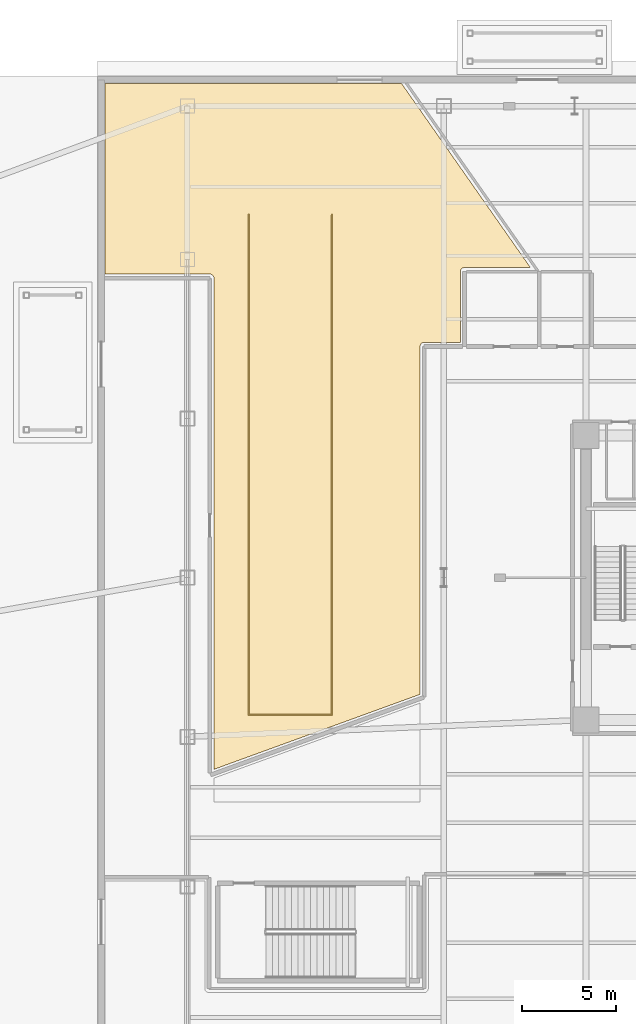
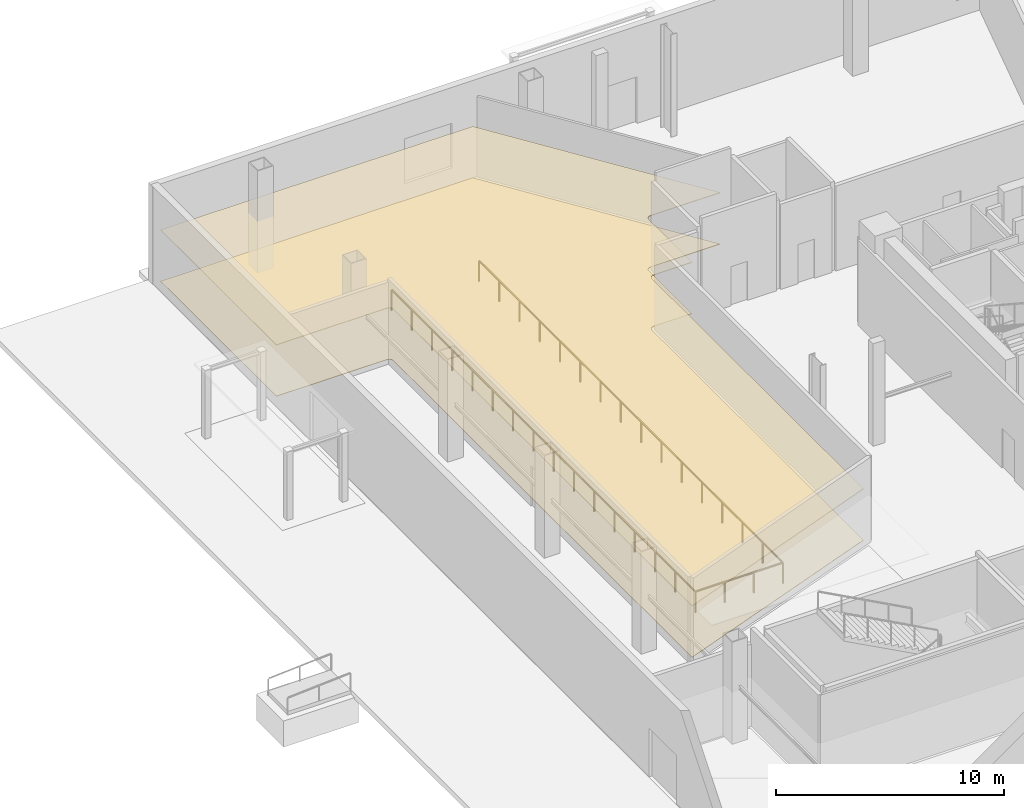
# One storey, part 23 of 27: 2 coverings, 1 railing.
"""IFC4 building model written with IfcOpenShell, lengths in metres."""

from ifc_helpers import new_model, si_unit, direction, frame, origin, origin_2d, place, context, subcontext, project, spatial, polyline, rectangle, outline, extrude, material, layer, layer_set, type_object, element, save


model = new_model("IFC4")

# Units and contexts
model_context = context("Model", 3, precision=1e-05, world=origin(), true_north=direction((0.0, 1.0)))
body_context = subcontext(model_context, "Body", "Model", "MODEL_VIEW")
ifc_project = project(units=[si_unit("LENGTHUNIT", "METRE"), si_unit("AREAUNIT", "SQUARE_METRE"), si_unit("VOLUMEUNIT", "CUBIC_METRE"), si_unit("PLANEANGLEUNIT", "RADIAN"), si_unit("MASSUNIT", "GRAM", prefix="KILO")], contexts=[model_context])

# Site, building, storey
site_placement = place(None, origin())
site = spatial("IfcSite", under=ifc_project, at=site_placement, CompositionType="ELEMENT")
building_placement = place(site_placement, origin())
building = spatial("IfcBuilding", under=site, at=building_placement, Name="Tharavind Bronze Gate", CompositionType="ELEMENT")
storey_placement = place(building_placement, origin())
storey = spatial("IfcBuildingStorey", under=building, at=storey_placement, Name="L00", CompositionType="ELEMENT", Elevation=0.0)

# Coverings
ifc_material_1 = material(Name="Perforated Bronze Acoustic Panel", Category="bronze")
ifc_layer_1 = layer(ifc_material_1, 0.044921875)
ifc_layer_set_1 = layer_set([ifc_layer_1], Name="Perforated Bronze Acoustic Panel")
covering_type_1 = type_object("IfcCoveringType", Name="ACOUSTIC BRONZE BAFFLE CEILING", PredefinedType="CEILING", material=ifc_layer_set_1)
covering_1_placement = place(storey_placement, frame((0.0, 0.0, 2.75)))
element("IfcCovering", 1, at=covering_1_placement, inside=storey, type_object=covering_type_1, Name="L00-PD-03 suspended ceiling", PredefinedType="CEILING", context=body_context, shape_type="SweptSolid", body=[
    extrude(outline(polyline([(-34.60009765625, 16.219970703125), (-29.00048828125, 16.219970703125), (-28.98974609375, 16.2197265625), (-28.9892578125, 16.2197265625), (-28.9677734375, 16.217529296875), (-28.946533203125, 16.21337890625), (-28.92578125, 16.20703125), (-28.906005859375, 16.19873046875), (-28.886962890625, 16.188720703125), (-28.868896484375, 16.1767578125), (-28.852294921875, 16.1630859375), (-28.8369140625, 16.147705078125), (-28.8232421875, 16.131103515625), (-28.811279296875, 16.113037109375), (-28.80126953125, 16.093994140625), (-28.79296875, 16.07421875), (-28.78662109375, 16.053466796875), (-28.782470703125, 16.0322265625), (-28.7802734375, 16.0107421875), (-28.7802734375, 16.01025390625), (-28.780029296875, 15.99951171875), (-28.780029296875, -10.240966796875), (-17.77001953125, -6.233642578125), (-17.77001953125, 12.349365234375), (-17.769775390625, 12.360107421875), (-17.769775390625, 12.36083984375), (-17.767578125, 12.38232421875), (-17.763427734375, 12.4033203125), (-17.757080078125, 12.424072265625), (-17.748779296875, 12.444091796875), (-17.73876953125, 12.463134765625), (-17.726806640625, 12.48095703125), (-17.712890625, 12.497802734375), (-17.69775390625, 12.512939453125), (-17.680908203125, 12.526611328125), (-17.6630859375, 12.538818359375), (-17.64404296875, 12.548828125), (-17.6240234375, 12.55712890625), (-17.603515625, 12.5634765625), (-17.582275390625, 12.567626953125), (-17.560791015625, 12.569580078125), (-17.560302734375, 12.569580078125), (-17.54931640625, 12.570068359375), (-15.6201171875, 12.570068359375), (-15.6201171875, 16.349365234375), (-15.61962890625, 16.360107421875), (-15.61962890625, 16.36083984375), (-15.61767578125, 16.38232421875), (-15.61328125, 16.4033203125), (-15.607177734375, 16.424072265625), (-15.598876953125, 16.444091796875), (-15.588623046875, 16.463134765625), (-15.57666015625, 16.48095703125), (-15.56298828125, 16.497802734375), (-15.547607421875, 16.512939453125), (-15.531005859375, 16.526611328125), (-15.51318359375, 16.538818359375), (-15.493896484375, 16.548828125), (-15.47412109375, 16.55712890625), (-15.453369140625, 16.5634765625), (-15.432373046875, 16.567626953125), (-15.410888671875, 16.569580078125), (-15.41015625, 16.569580078125), (-15.3994140625, 16.570068359375), (-11.87109375, 16.570068359375), (-18.75390625, 26.39990234375), (-34.60009765625, 26.39990234375), (-34.60009765625, 16.219970703125)])), origin(), (0.0, 0.0, 1.0), 0.034912109375),
])
ifc_material_2 = material(Name="Honed Travertine Limestone", Category="masonry")
ifc_layer_2 = layer(ifc_material_2, 0.030029296875)
ifc_layer_set_2 = layer_set([ifc_layer_2], Name="Honed Travertine Limestone")
covering_type_2 = type_object("IfcCoveringType", Name="HONED LIMESTONE FLOORING", PredefinedType="FLOORING", material=ifc_layer_set_2)
covering_2_placement = place(storey_placement, origin())
element("IfcCovering", 2, at=covering_2_placement, inside=storey, type_object=covering_type_2, Name="L00-PD-03 floor finish", PredefinedType="FLOORING", context=body_context, shape_type="SweptSolid", body=[
    extrude(outline(polyline([(-34.60009765625, 16.219970703125), (-29.00048828125, 16.219970703125), (-28.98974609375, 16.2197265625), (-28.9892578125, 16.2197265625), (-28.9677734375, 16.217529296875), (-28.946533203125, 16.21337890625), (-28.92578125, 16.20703125), (-28.906005859375, 16.19873046875), (-28.886962890625, 16.188720703125), (-28.868896484375, 16.1767578125), (-28.852294921875, 16.1630859375), (-28.8369140625, 16.147705078125), (-28.8232421875, 16.131103515625), (-28.811279296875, 16.113037109375), (-28.80126953125, 16.093994140625), (-28.79296875, 16.07421875), (-28.78662109375, 16.053466796875), (-28.782470703125, 16.0322265625), (-28.7802734375, 16.0107421875), (-28.7802734375, 16.01025390625), (-28.780029296875, 15.99951171875), (-28.780029296875, -10.240966796875), (-17.77001953125, -6.233642578125), (-17.77001953125, 12.349365234375), (-17.769775390625, 12.360107421875), (-17.769775390625, 12.36083984375), (-17.767578125, 12.38232421875), (-17.763427734375, 12.4033203125), (-17.757080078125, 12.424072265625), (-17.748779296875, 12.444091796875), (-17.73876953125, 12.463134765625), (-17.726806640625, 12.48095703125), (-17.712890625, 12.497802734375), (-17.69775390625, 12.512939453125), (-17.680908203125, 12.526611328125), (-17.6630859375, 12.538818359375), (-17.64404296875, 12.548828125), (-17.6240234375, 12.55712890625), (-17.603515625, 12.5634765625), (-17.582275390625, 12.567626953125), (-17.560791015625, 12.569580078125), (-17.560302734375, 12.569580078125), (-17.54931640625, 12.570068359375), (-15.6201171875, 12.570068359375), (-15.6201171875, 16.349365234375), (-15.61962890625, 16.360107421875), (-15.61962890625, 16.36083984375), (-15.61767578125, 16.38232421875), (-15.61328125, 16.4033203125), (-15.607177734375, 16.424072265625), (-15.598876953125, 16.444091796875), (-15.588623046875, 16.463134765625), (-15.57666015625, 16.48095703125), (-15.56298828125, 16.497802734375), (-15.547607421875, 16.512939453125), (-15.531005859375, 16.526611328125), (-15.51318359375, 16.538818359375), (-15.493896484375, 16.548828125), (-15.47412109375, 16.55712890625), (-15.453369140625, 16.5634765625), (-15.432373046875, 16.567626953125), (-15.410888671875, 16.569580078125), (-15.41015625, 16.569580078125), (-15.3994140625, 16.570068359375), (-11.87109375, 16.570068359375), (-18.75390625, 26.39990234375), (-34.60009765625, 26.39990234375), (-34.60009765625, 16.219970703125)])), origin(), (0.0, 0.0, 1.0), 0.02490234375),
])

# Railing
ifc_material_3 = material(Name="Bronze Cap & Laminated Glass", Category="glass")
railing_type = type_object("IfcRailingType", Name="TERRACE GLASS GUARD RAILING 1150", PredefinedType="GUARDRAIL", material=ifc_material_3)
railing_placement = place(storey_placement, frame((-26.919921875, 19.39990234375, 0.0)))
element("IfcRailing", 3, at=railing_placement, inside=storey, type_object=railing_type, Name="L00 vehicle ramp well perimeter guard railing", PredefinedType="GUARDRAIL", context=body_context, shape_type="SweptSolid", body=[
    extrude(rectangle(XDim=0.048095703125, YDim=0.048095703125, at=origin_2d()), frame((0.0, -0.031982421875, 1.1259765625), z_axis=(0.0, -1.0, 0.0), x_axis=(1.0, 0.0, 0.0)), (0.0, 0.0, 1.0), 26.656005859375),
    extrude(rectangle(XDim=0.048095703125, YDim=0.048095703125, at=origin_2d()), frame((0.031982421875, -26.719970703125, 1.1259765625), z_axis=(1.0, 0.0, 0.0), x_axis=(0.0, 1.0, 0.0)), (0.0, 0.0, 1.0), 4.3759765625),
    extrude(rectangle(XDim=0.048095703125, YDim=0.048095703125, at=origin_2d()), frame((4.43994140625, -26.68798828125, 1.1259765625), z_axis=(0.0, 1.0, 0.0), x_axis=(-1.0, 0.0, 0.0)), (0.0, 0.0, 1.0), 26.656005859375),
    extrude(rectangle(XDim=0.0400390625, YDim=0.0400390625, at=origin_2d()), origin(), (0.0, 0.0, 1.0), 1.097900390625),
    extrude(rectangle(XDim=0.0400390625, YDim=0.0400390625, at=origin_2d()), frame((0.0, -1.78125, 0.0)), (0.0, 0.0, 1.0), 1.097900390625),
    extrude(rectangle(XDim=0.0400390625, YDim=0.0400390625, at=origin_2d()), frame((0.0, -3.562744140625, 0.0)), (0.0, 0.0, 1.0), 1.097900390625),
    extrude(rectangle(XDim=0.0400390625, YDim=0.0400390625, at=origin_2d()), frame((0.0, -5.343994140625, 0.0)), (0.0, 0.0, 1.0), 1.097900390625),
    extrude(rectangle(XDim=0.0400390625, YDim=0.0400390625, at=origin_2d()), frame((0.0, -7.125244140625, 0.0)), (0.0, 0.0, 1.0), 1.097900390625),
    extrude(rectangle(XDim=0.0400390625, YDim=0.0400390625, at=origin_2d()), frame((0.0, -8.90673828125, 0.0)), (0.0, 0.0, 1.0), 1.097900390625),
    extrude(rectangle(XDim=0.0400390625, YDim=0.0400390625, at=origin_2d()), frame((0.0, -10.68798828125, 0.0)), (0.0, 0.0, 1.0), 1.097900390625),
    extrude(rectangle(XDim=0.0400390625, YDim=0.0400390625, at=origin_2d()), frame((0.0, -12.46923828125, 0.0)), (0.0, 0.0, 1.0), 1.097900390625),
    extrude(rectangle(XDim=0.0400390625, YDim=0.0400390625, at=origin_2d()), frame((0.0, -14.250732421875, 0.0)), (0.0, 0.0, 1.0), 1.097900390625),
    extrude(rectangle(XDim=0.0400390625, YDim=0.0400390625, at=origin_2d()), frame((0.0, -16.031982421875, 0.0)), (0.0, 0.0, 1.0), 1.097900390625),
    extrude(rectangle(XDim=0.0400390625, YDim=0.0400390625, at=origin_2d()), frame((0.0, -17.813232421875, 0.0)), (0.0, 0.0, 1.0), 1.097900390625),
    extrude(rectangle(XDim=0.0400390625, YDim=0.0400390625, at=origin_2d()), frame((0.0, -19.5947265625, 0.0)), (0.0, 0.0, 1.0), 1.097900390625),
    extrude(rectangle(XDim=0.0400390625, YDim=0.0400390625, at=origin_2d()), frame((0.0, -21.3759765625, 0.0)), (0.0, 0.0, 1.0), 1.097900390625),
    extrude(rectangle(XDim=0.0400390625, YDim=0.0400390625, at=origin_2d()), frame((0.0, -23.1572265625, 0.0)), (0.0, 0.0, 1.0), 1.097900390625),
    extrude(rectangle(XDim=0.0400390625, YDim=0.0400390625, at=origin_2d()), frame((0.0, -24.938720703125, 0.0)), (0.0, 0.0, 1.0), 1.097900390625),
    extrude(rectangle(XDim=0.0400390625, YDim=0.0400390625, at=origin_2d()), frame((0.0, -26.719970703125, 0.0)), (0.0, 0.0, 1.0), 1.097900390625),
    extrude(rectangle(XDim=0.0400390625, YDim=0.0400390625, at=origin_2d()), frame((1.47998046875, -26.719970703125, 0.0)), (0.0, 0.0, 1.0), 1.097900390625),
    extrude(rectangle(XDim=0.0400390625, YDim=0.0400390625, at=origin_2d()), frame((2.9599609375, -26.719970703125, 0.0)), (0.0, 0.0, 1.0), 1.097900390625),
    extrude(rectangle(XDim=0.0400390625, YDim=0.0400390625, at=origin_2d()), frame((4.43994140625, -26.719970703125, 0.0)), (0.0, 0.0, 1.0), 1.097900390625),
    extrude(rectangle(XDim=0.0400390625, YDim=0.0400390625, at=origin_2d()), frame((4.43994140625, -24.938720703125, 0.0)), (0.0, 0.0, 1.0), 1.097900390625),
    extrude(rectangle(XDim=0.0400390625, YDim=0.0400390625, at=origin_2d()), frame((4.43994140625, -23.1572265625, 0.0)), (0.0, 0.0, 1.0), 1.097900390625),
    extrude(rectangle(XDim=0.0400390625, YDim=0.0400390625, at=origin_2d()), frame((4.43994140625, -21.3759765625, 0.0)), (0.0, 0.0, 1.0), 1.097900390625),
    extrude(rectangle(XDim=0.0400390625, YDim=0.0400390625, at=origin_2d()), frame((4.43994140625, -19.5947265625, 0.0)), (0.0, 0.0, 1.0), 1.097900390625),
    extrude(rectangle(XDim=0.0400390625, YDim=0.0400390625, at=origin_2d()), frame((4.43994140625, -17.813232421875, 0.0)), (0.0, 0.0, 1.0), 1.097900390625),
    extrude(rectangle(XDim=0.0400390625, YDim=0.0400390625, at=origin_2d()), frame((4.43994140625, -16.031982421875, 0.0)), (0.0, 0.0, 1.0), 1.097900390625),
    extrude(rectangle(XDim=0.0400390625, YDim=0.0400390625, at=origin_2d()), frame((4.43994140625, -14.250732421875, 0.0)), (0.0, 0.0, 1.0), 1.097900390625),
    extrude(rectangle(XDim=0.0400390625, YDim=0.0400390625, at=origin_2d()), frame((4.43994140625, -12.46923828125, 0.0)), (0.0, 0.0, 1.0), 1.097900390625),
    extrude(rectangle(XDim=0.0400390625, YDim=0.0400390625, at=origin_2d()), frame((4.43994140625, -10.68798828125, 0.0)), (0.0, 0.0, 1.0), 1.097900390625),
    extrude(rectangle(XDim=0.0400390625, YDim=0.0400390625, at=origin_2d()), frame((4.43994140625, -8.90673828125, 0.0)), (0.0, 0.0, 1.0), 1.097900390625),
    extrude(rectangle(XDim=0.0400390625, YDim=0.0400390625, at=origin_2d()), frame((4.43994140625, -7.125244140625, 0.0)), (0.0, 0.0, 1.0), 1.097900390625),
    extrude(rectangle(XDim=0.0400390625, YDim=0.0400390625, at=origin_2d()), frame((4.43994140625, -5.343994140625, 0.0)), (0.0, 0.0, 1.0), 1.097900390625),
    extrude(rectangle(XDim=0.0400390625, YDim=0.0400390625, at=origin_2d()), frame((4.43994140625, -3.562744140625, 0.0)), (0.0, 0.0, 1.0), 1.097900390625),
    extrude(rectangle(XDim=0.0400390625, YDim=0.0400390625, at=origin_2d()), frame((4.43994140625, -1.78125, 0.0)), (0.0, 0.0, 1.0), 1.097900390625),
    extrude(rectangle(XDim=0.0400390625, YDim=0.0400390625, at=origin_2d()), frame((4.43994140625, 0.0, 0.0)), (0.0, 0.0, 1.0), 1.097900390625),
])

save(model, "model.ifc")
